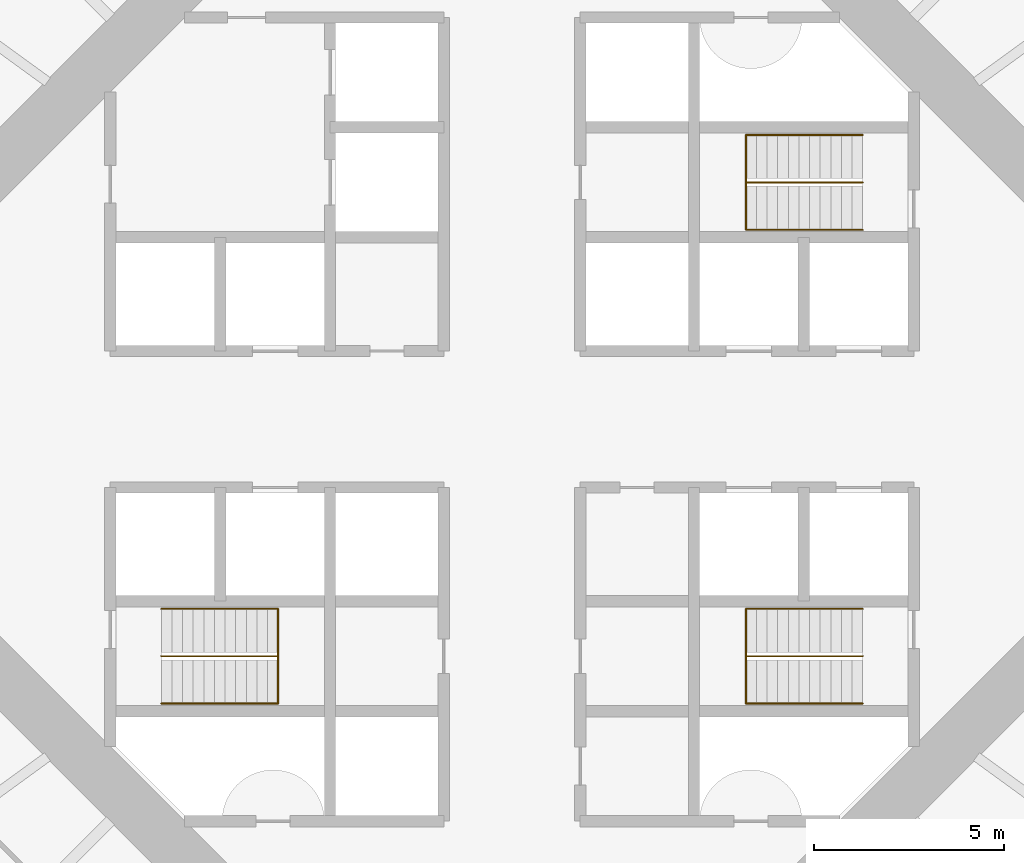
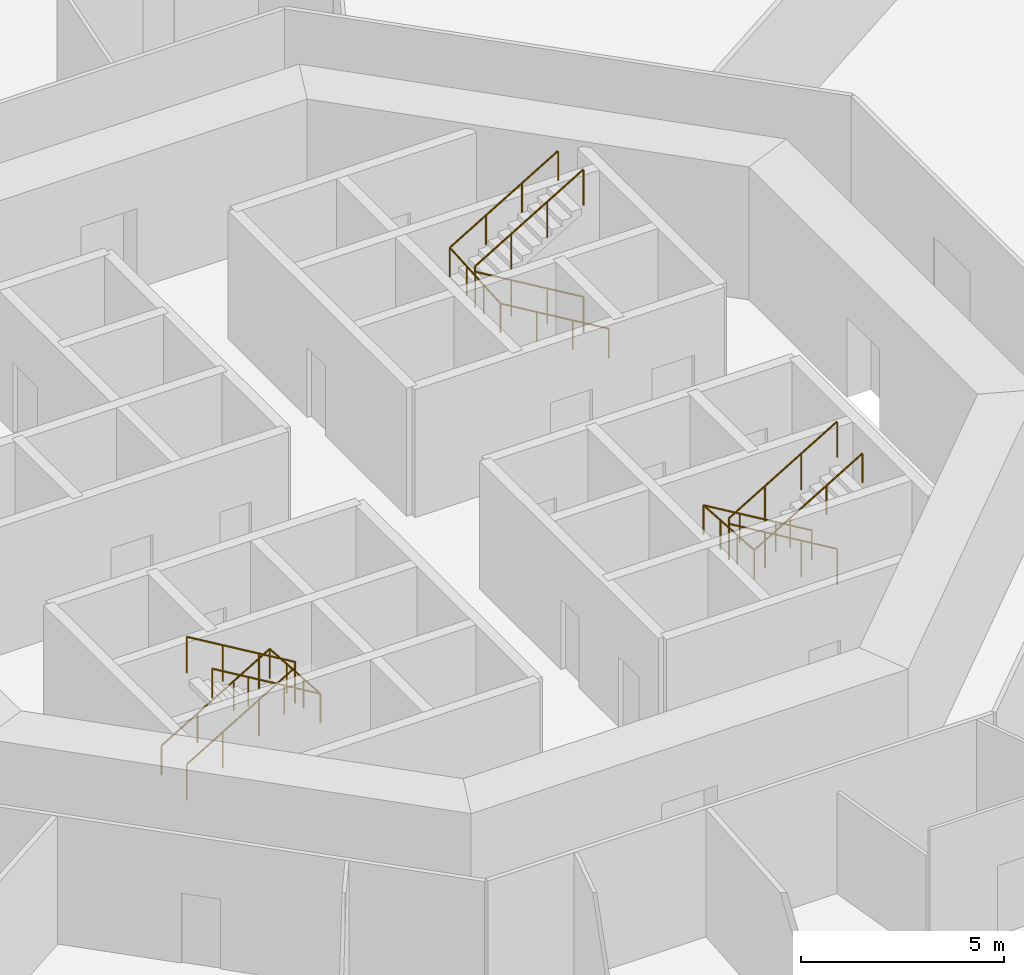
# One storey, part 13 of 13: 6 railings.
"""IFC4 building model written with IfcOpenShell, lengths in metres."""

import ifcopenshell
import ifcopenshell.guid

model = None  # the IFC model being written
_history = None  # IfcOwnerHistory: only IFC2X3 demands one
_inside = {}  # id of a spatial element -> (the spatial element, [elements in it])
_under = {}  # id of a project, library or spatial element -> (it, [spatial elements below it])
_declared = {}  # id of a project -> (the project, [libraries it declares])
_typed = {}  # id of a type object -> (the type object, [elements of that type])
_made_of = {}  # id of a material, layer set ... -> (it, [elements and type objects made of it])


def new_model(schema):
    """Start an empty IFC model of exactly this schema.

    Asked for "IFC4X3", IfcOpenShell would pick the latest addendum, in which some entities
    have other attributes; the version numbers below select the first issue.
    IFC2X3 requires an IfcOwnerHistory on every rooted entity: one is made here for all.
    """
    global model, _history
    if schema == "IFC4X3":
        model = ifcopenshell.file(schema_version=(4, 3, 0, 0))
    else:
        model = ifcopenshell.file(schema=schema)
    _inside.clear()
    _under.clear()
    _declared.clear()
    _typed.clear()
    _made_of.clear()
    _history = None
    if model.schema == "IFC2X3":
        org = make("IfcOrganization", Name="unknown")
        user = make(
            "IfcPersonAndOrganization",
            ThePerson=make("IfcPerson", FamilyName="unknown"),
            TheOrganization=org,
        )
        app = make(
            "IfcApplication",
            ApplicationDeveloper=org,
            Version="unknown",
            ApplicationFullName="unknown",
            ApplicationIdentifier="unknown",
        )
        _history = make(
            "IfcOwnerHistory",
            OwningUser=user,
            OwningApplication=app,
            ChangeAction="ADDED",
            CreationDate=0,
        )
    return model


def make(cls, **values):
    """One entity of the class cls with the attributes given. An attribute that is None is left unset."""
    return model.create_entity(
        cls, **{name: value for name, value in values.items() if value is not None}
    )


def rooted(cls, **values):
    """An entity with a GlobalId (a new one), such as an element, a storey or a relation."""
    return make(cls, GlobalId=ifcopenshell.guid.new(), OwnerHistory=_history, **values)


def si_unit(unit_type, name, prefix=None):
    """IfcSIUnit, for example si_unit("LENGTHUNIT", "METRE", prefix="MILLI")."""
    return make("IfcSIUnit", UnitType=unit_type, Prefix=prefix, Name=name)


def assignment(units):
    """IfcUnitAssignment: the units of a project."""
    return None if units is None else make("IfcUnitAssignment", Units=units)


def point(xyz):
    """IfcCartesianPoint."""
    return None if xyz is None else make("IfcCartesianPoint", Coordinates=xyz)


def direction(xyz):
    """IfcDirection."""
    return None if xyz is None else make("IfcDirection", DirectionRatios=xyz)


def frame(location, z_axis=None, x_axis=None):
    """IfcAxis2Placement3D, a coordinate frame: its origin and axes. An axis left out is left unset."""
    return make(
        "IfcAxis2Placement3D",
        Location=point(location),
        Axis=direction(z_axis),
        RefDirection=direction(x_axis),
    )


def frame_2d(location, x_axis=None):
    """IfcAxis2Placement2D, a coordinate frame in the plane: its origin and x axis."""
    return make(
        "IfcAxis2Placement2D", Location=point(location), RefDirection=direction(x_axis)
    )


def origin():
    """The frame at (0, 0, 0) with its axes left unset."""
    return frame((0.0, 0.0, 0.0))


def origin_2d():
    """The frame at (0, 0) in the plane with its x axis left unset."""
    return frame_2d((0.0, 0.0))


def place(relative_to, where):
    """IfcLocalPlacement: puts the frame where relative to a parent placement (None: the world)."""
    return make(
        "IfcLocalPlacement", PlacementRelTo=relative_to, RelativePlacement=where
    )


def context(
    kind, dimensions, precision=None, world=None, true_north=None, identifier=None
):
    """IfcGeometricRepresentationContext, for example the 3D "Model" context."""
    return make(
        "IfcGeometricRepresentationContext",
        ContextIdentifier=identifier,
        ContextType=kind,
        CoordinateSpaceDimension=dimensions,
        Precision=precision,
        WorldCoordinateSystem=world,
        TrueNorth=true_north,
    )


def subcontext(parent, identifier, kind, view, scale=None):
    """IfcGeometricRepresentationSubContext, for example "Body" below "Model"."""
    return make(
        "IfcGeometricRepresentationSubContext",
        ContextIdentifier=identifier,
        ContextType=kind,
        ParentContext=parent,
        TargetScale=scale,
        TargetView=view,
    )


def project(units=None, contexts=None):
    """IfcProject with its units and contexts."""
    return rooted(
        "IfcProject",
        Name="project",
        RepresentationContexts=contexts,
        UnitsInContext=assignment(units),
    )


def spatial(cls, under=None, at=None, **own):
    """A site, building, storey or space (cls), placed at a placement, below another one or the project."""
    s = rooted(cls, ObjectPlacement=at, **own)
    if under is not None:
        _under.setdefault(under.id(), (under, []))[1].append(s)
    return s


def profile(cls, at=None, kind="AREA", **sizes):
    """A parametric profile (cls). Its sizes go by their IFC names, for example OverallWidth=200.0."""
    return make(cls, ProfileType=kind, Position=at, **sizes)


def circle(**sizes):
    """IfcCircleProfileDef."""
    return profile("IfcCircleProfileDef", **sizes)


def extrude(swept, where, along, depth):
    """IfcExtrudedAreaSolid: the profile swept, set in the frame where, extruded along a direction by depth."""
    return make(
        "IfcExtrudedAreaSolid",
        SweptArea=swept,
        Position=where,
        ExtrudedDirection=direction(along),
        Depth=depth,
    )


def shape(context_of_items, identifier, shape_type, items):
    """IfcShapeRepresentation: the items that make up one representation, for example the "Body"."""
    return make(
        "IfcShapeRepresentation",
        ContextOfItems=context_of_items,
        RepresentationIdentifier=identifier,
        RepresentationType=shape_type,
        Items=items,
    )


def material(Name=None, Category=None):
    """IfcMaterial."""
    return make("IfcMaterial", Name=Name, Category=Category)


def made_of(thing, what):
    """Note that an element or type object is made of a material, layer set ...; save() writes the relation."""
    if what is not None:
        _made_of.setdefault(what.id(), (what, []))[1].append(thing)
    return thing


def type_object(cls, material=None, **own):
    """A type object (cls), such as IfcWallType, which elements share."""
    return made_of(rooted(cls, **own), material)


def element(
    cls,
    number,
    at=None,
    inside=None,
    cuts=None,
    type_object=None,
    material=None,
    context=None,
    identifier="Body",
    shape_type=None,
    held_by="IfcProductDefinitionShape",
    body=None,
    shapes=None,
    **own,
):
    """One element of the class cls, such as IfcWall. Its Tag is "e" and its number.

    at: its placement. inside: the storey or other place that contains it. cuts: it is an
    opening in that element (IfcRelVoidsElement). A single representation is given by context,
    identifier, shape_type and body (its items); several are given by shapes. held_by: the class
    of the entity that holds the representations. save() writes the other relations.
    """
    e = rooted(cls, Tag="e%d" % number, ObjectPlacement=at, **own)
    if body is not None:
        shapes = [shape(context, identifier, shape_type, body)]
    if shapes is not None:
        e.Representation = make(held_by, Representations=shapes)
    if inside is not None:
        _inside.setdefault(inside.id(), (inside, []))[1].append(e)
    if cuts is not None:
        rooted(
            "IfcRelVoidsElement", RelatingBuildingElement=cuts, RelatedOpeningElement=e
        )
    if type_object is not None:
        _typed.setdefault(type_object.id(), (type_object, []))[1].append(e)
    return made_of(e, material)


def aggregate(whole, parts):
    """IfcRelAggregates: a whole, such as a stair, and the parts it consists of."""
    return rooted("IfcRelAggregates", RelatingObject=whole, RelatedObjects=parts)


def save(model, path):
    """Write the relations noted so far, then the file.

    IfcRelAggregates (storeys below a building ...), IfcRelContainedInSpatialStructure (elements
    in a storey), IfcRelDefinesByType, IfcRelAssociatesMaterial and IfcRelDeclares: one each for
    every whole, place, type object, material and project.
    """
    for whole, parts in _under.values():
        aggregate(whole, parts)
    for where, things in _inside.values():
        rooted(
            "IfcRelContainedInSpatialStructure",
            RelatedElements=things,
            RelatingStructure=where,
        )
    for kind, things in _typed.values():
        rooted("IfcRelDefinesByType", RelatedObjects=things, RelatingType=kind)
    for what, things in _made_of.values():
        rooted("IfcRelAssociatesMaterial", RelatedObjects=things, RelatingMaterial=what)
    for by, libraries in _declared.values():
        rooted("IfcRelDeclares", RelatingContext=by, RelatedDefinitions=libraries)
    model.write(path)


model = new_model("IFC4")

# Units and contexts
model_context = context("Model", 3, precision=1e-05, world=origin(), true_north=direction((0.0, 1.0)))
body_context = subcontext(model_context, "Body", "Model", "MODEL_VIEW")
ifc_project = project(units=[si_unit("LENGTHUNIT", "METRE"), si_unit("AREAUNIT", "SQUARE_METRE"), si_unit("VOLUMEUNIT", "CUBIC_METRE"), si_unit("PLANEANGLEUNIT", "RADIAN"), si_unit("MASSUNIT", "GRAM", prefix="KILO")], contexts=[model_context])

# Site, building, storey
site_placement = place(None, origin())
site = spatial("IfcSite", under=ifc_project, at=site_placement, CompositionType="ELEMENT")
building_placement = place(site_placement, origin())
building = spatial("IfcBuilding", under=site, at=building_placement, Name="Entoto Ring Tower", CompositionType="ELEMENT")
storey_placement = place(building_placement, frame((0.0, 0.0, 34.0)))
storey = spatial("IfcBuildingStorey", under=building, at=storey_placement, Name="L06", CompositionType="ELEMENT", Elevation=34.0)

# Railings
ifc_material_1 = material(Name="Steel S275", Category="steel")
railing_type_1 = type_object("IfcRailingType", Name="Stair guard 1100 mm steel", PredefinedType="GUARDRAIL", material=ifc_material_1)
railing_1_placement = place(storey_placement, frame((99.25, 86.25, 0.166748046875)))
element("IfcRailing", 1, at=railing_1_placement, inside=storey, type_object=railing_type_1, Name="Guard ST1", PredefinedType="GUARDRAIL", context=body_context, shape_type="SweptSolid", body=[
    extrude(circle(Radius=0.02392578125, at=origin_2d()), frame((0.0, 0.0, 1.076171875), z_axis=(-0.859308565015, 0.0, 0.511457515432), x_axis=(0.0, -1.0, 0.0)), (0.0, 0.0, 1.0), 3.58447265625),
    extrude(circle(Radius=0.02392578125, at=origin_2d()), frame((-3.080078125, 0.0, 2.9091796875), z_axis=(0.0, 0.0, 1.0), x_axis=(1.0, 0.0, 0.0)), (0.0, 0.0, 1.0), 0.166748046875),
    extrude(circle(Radius=0.02392578125, at=origin_2d()), frame((-3.080078125, 0.0, 3.076171875), z_axis=(0.859308565015, 0.0, 0.511457515432), x_axis=(0.0, 1.0, 0.0)), (0.0, 0.0, 1.0), 3.58447265625),
    extrude(circle(Radius=0.02099609375, at=origin_2d()), origin(), (0.0, 0.0, 1.0), 1.052001953125),
    extrude(circle(Radius=0.02099609375, at=origin_2d()), frame((-1.026611328125, 0.0, 0.611083984375)), (0.0, 0.0, 1.0), 1.052001953125),
    extrude(circle(Radius=0.02099609375, at=origin_2d()), frame((-2.053466796875, 0.0, 1.22216796875)), (0.0, 0.0, 1.0), 1.052001953125),
    extrude(circle(Radius=0.02099609375, at=origin_2d()), frame((-3.080078125, 0.0, 1.833251953125)), (0.0, 0.0, 1.0), 1.052001953125),
    extrude(circle(Radius=0.02099609375, at=origin_2d()), frame((-3.080078125, 0.0, 2.0)), (0.0, 0.0, 1.0), 1.052001953125),
    extrude(circle(Radius=0.02099609375, at=origin_2d()), frame((-2.053466796875, 0.0, 2.611083984375)), (0.0, 0.0, 1.0), 1.052001953125),
    extrude(circle(Radius=0.02099609375, at=origin_2d()), frame((-1.026611328125, 0.0, 3.22216796875)), (0.0, 0.0, 1.0), 1.052001953125),
    extrude(circle(Radius=0.02099609375, at=origin_2d()), frame((0.0, 0.0, 3.833251953125)), (0.0, 0.0, 1.0), 1.052001953125),
])
railing_2_placement = place(storey_placement, frame((80.75, 73.75, 0.166748046875)))
element("IfcRailing", 2, at=railing_2_placement, inside=storey, type_object=railing_type_1, Name="Guard ST2", PredefinedType="GUARDRAIL", context=body_context, shape_type="SweptSolid", body=[
    extrude(circle(Radius=0.02392578125, at=origin_2d()), frame((0.0, 0.0, 1.076171875), z_axis=(0.859308565015, 0.0, 0.511457515432), x_axis=(0.0, 1.0, 0.0)), (0.0, 0.0, 1.0), 3.58447265625),
    extrude(circle(Radius=0.02392578125, at=origin_2d()), frame((3.080078125, 0.0, 2.9091796875), z_axis=(0.0, 0.0, 1.0), x_axis=(1.0, 0.0, 0.0)), (0.0, 0.0, 1.0), 0.166748046875),
    extrude(circle(Radius=0.02392578125, at=origin_2d()), frame((3.080078125, 0.0, 3.076171875), z_axis=(-0.859308565015, 0.0, 0.511457515432), x_axis=(0.0, -1.0, 0.0)), (0.0, 0.0, 1.0), 3.58447265625),
    extrude(circle(Radius=0.02099609375, at=origin_2d()), origin(), (0.0, 0.0, 1.0), 1.052001953125),
    extrude(circle(Radius=0.02099609375, at=origin_2d()), frame((1.026611328125, 0.0, 0.611083984375)), (0.0, 0.0, 1.0), 1.052001953125),
    extrude(circle(Radius=0.02099609375, at=origin_2d()), frame((2.053466796875, 0.0, 1.22216796875)), (0.0, 0.0, 1.0), 1.052001953125),
    extrude(circle(Radius=0.02099609375, at=origin_2d()), frame((3.080078125, 0.0, 1.833251953125)), (0.0, 0.0, 1.0), 1.052001953125),
    extrude(circle(Radius=0.02099609375, at=origin_2d()), frame((3.080078125, 0.0, 2.0)), (0.0, 0.0, 1.0), 1.052001953125),
    extrude(circle(Radius=0.02099609375, at=origin_2d()), frame((2.053466796875, 0.0, 2.611083984375)), (0.0, 0.0, 1.0), 1.052001953125),
    extrude(circle(Radius=0.02099609375, at=origin_2d()), frame((1.026611328125, 0.0, 3.22216796875)), (0.0, 0.0, 1.0), 1.052001953125),
    extrude(circle(Radius=0.02099609375, at=origin_2d()), frame((0.0, 0.0, 3.833251953125)), (0.0, 0.0, 1.0), 1.052001953125),
])
railing_3_placement = place(storey_placement, frame((99.25, 73.75, 0.166748046875)))
element("IfcRailing", 3, at=railing_3_placement, inside=storey, type_object=railing_type_1, Name="Guard ST3", PredefinedType="GUARDRAIL", context=body_context, shape_type="SweptSolid", body=[
    extrude(circle(Radius=0.02392578125, at=origin_2d()), frame((0.0, 0.0, 1.076171875), z_axis=(-0.859308565015, 0.0, 0.511457515432), x_axis=(0.0, -1.0, 0.0)), (0.0, 0.0, 1.0), 3.58447265625),
    extrude(circle(Radius=0.02392578125, at=origin_2d()), frame((-3.080078125, 0.0, 2.9091796875), z_axis=(0.0, 0.0, 1.0), x_axis=(1.0, 0.0, 0.0)), (0.0, 0.0, 1.0), 0.166748046875),
    extrude(circle(Radius=0.02392578125, at=origin_2d()), frame((-3.080078125, 0.0, 3.076171875), z_axis=(0.859308565015, 0.0, 0.511457515432), x_axis=(0.0, 1.0, 0.0)), (0.0, 0.0, 1.0), 3.58447265625),
    extrude(circle(Radius=0.02099609375, at=origin_2d()), origin(), (0.0, 0.0, 1.0), 1.052001953125),
    extrude(circle(Radius=0.02099609375, at=origin_2d()), frame((-1.026611328125, 0.0, 0.611083984375)), (0.0, 0.0, 1.0), 1.052001953125),
    extrude(circle(Radius=0.02099609375, at=origin_2d()), frame((-2.053466796875, 0.0, 1.22216796875)), (0.0, 0.0, 1.0), 1.052001953125),
    extrude(circle(Radius=0.02099609375, at=origin_2d()), frame((-3.080078125, 0.0, 1.833251953125)), (0.0, 0.0, 1.0), 1.052001953125),
    extrude(circle(Radius=0.02099609375, at=origin_2d()), frame((-3.080078125, 0.0, 2.0)), (0.0, 0.0, 1.0), 1.052001953125),
    extrude(circle(Radius=0.02099609375, at=origin_2d()), frame((-2.053466796875, 0.0, 2.611083984375)), (0.0, 0.0, 1.0), 1.052001953125),
    extrude(circle(Radius=0.02099609375, at=origin_2d()), frame((-1.026611328125, 0.0, 3.22216796875)), (0.0, 0.0, 1.0), 1.052001953125),
    extrude(circle(Radius=0.02099609375, at=origin_2d()), frame((0.0, 0.0, 3.833251953125)), (0.0, 0.0, 1.0), 1.052001953125),
])
ifc_material_2 = material(Name="Steel S275", Category="steel")
railing_type_2 = type_object("IfcRailingType", Name="Stair handrail 900 mm steel", PredefinedType="HANDRAIL", material=ifc_material_2)
railing_4_placement = place(storey_placement, frame((99.25, 85.0, 0.166748046875)))
element("IfcRailing", 4, at=railing_4_placement, inside=storey, type_object=railing_type_2, Name="Handrail ST1", PredefinedType="HANDRAIL", context=body_context, shape_type="SweptSolid", body=[
    extrude(circle(Radius=0.02392578125, at=origin_2d()), frame((0.0, 0.0, 0.8759765625), z_axis=(-0.859308565015, 0.0, 0.511457515432), x_axis=(0.0, -1.0, 0.0)), (0.0, 0.0, 1.0), 3.58447265625),
    extrude(circle(Radius=0.02392578125, at=origin_2d()), frame((-3.080078125, 0.0, 2.708984375), z_axis=(0.0, 0.997783001586, 0.066551346688), x_axis=(-1.0, 0.0, 0.0)), (0.0, 0.0, 1.0), 2.505615234375),
    extrude(circle(Radius=0.02392578125, at=origin_2d()), frame((-3.080078125, 2.5, 2.8759765625), z_axis=(0.859308565015, 0.0, 0.511457515432), x_axis=(0.0, 1.0, 0.0)), (0.0, 0.0, 1.0), 3.58447265625),
    extrude(circle(Radius=0.02099609375, at=origin_2d()), origin(), (0.0, 0.0, 1.0), 0.851806640625),
    extrude(circle(Radius=0.02099609375, at=origin_2d()), frame((-1.026611328125, 0.0, 0.611083984375)), (0.0, 0.0, 1.0), 0.851806640625),
    extrude(circle(Radius=0.02099609375, at=origin_2d()), frame((-2.053466796875, 0.0, 1.22216796875)), (0.0, 0.0, 1.0), 0.851806640625),
    extrude(circle(Radius=0.02099609375, at=origin_2d()), frame((-3.080078125, 0.0, 1.833251953125)), (0.0, 0.0, 1.0), 0.851806640625),
    extrude(circle(Radius=0.02099609375, at=origin_2d()), frame((-3.080078125, 0.833251953125, 1.888916015625)), (0.0, 0.0, 1.0), 0.851806640625),
    extrude(circle(Radius=0.02099609375, at=origin_2d()), frame((-3.080078125, 1.666748046875, 1.9443359375)), (0.0, 0.0, 1.0), 0.851806640625),
    extrude(circle(Radius=0.02099609375, at=origin_2d()), frame((-3.080078125, 2.5, 2.0)), (0.0, 0.0, 1.0), 0.851806640625),
    extrude(circle(Radius=0.02099609375, at=origin_2d()), frame((-2.053466796875, 2.5, 2.611083984375)), (0.0, 0.0, 1.0), 0.851806640625),
    extrude(circle(Radius=0.02099609375, at=origin_2d()), frame((-1.026611328125, 2.5, 3.22216796875)), (0.0, 0.0, 1.0), 0.851806640625),
    extrude(circle(Radius=0.02099609375, at=origin_2d()), frame((0.0, 2.5, 3.833251953125)), (0.0, 0.0, 1.0), 0.851806640625),
])
railing_5_placement = place(storey_placement, frame((80.75, 75.0, 0.166748046875)))
element("IfcRailing", 5, at=railing_5_placement, inside=storey, type_object=railing_type_2, Name="Handrail ST2", PredefinedType="HANDRAIL", context=body_context, shape_type="SweptSolid", body=[
    extrude(circle(Radius=0.02392578125, at=origin_2d()), frame((0.0, 0.0, 0.8759765625), z_axis=(0.859308565015, 0.0, 0.511457515432), x_axis=(0.0, 1.0, 0.0)), (0.0, 0.0, 1.0), 3.58447265625),
    extrude(circle(Radius=0.02392578125, at=origin_2d()), frame((3.080078125, 0.0, 2.708984375), z_axis=(0.0, -0.997783001586, 0.066551346688), x_axis=(1.0, 0.0, 0.0)), (0.0, 0.0, 1.0), 2.505615234375),
    extrude(circle(Radius=0.02392578125, at=origin_2d()), frame((3.080078125, -2.5, 2.8759765625), z_axis=(-0.859308565015, 0.0, 0.511457515432), x_axis=(0.0, -1.0, 0.0)), (0.0, 0.0, 1.0), 3.58447265625),
    extrude(circle(Radius=0.02099609375, at=origin_2d()), origin(), (0.0, 0.0, 1.0), 0.851806640625),
    extrude(circle(Radius=0.02099609375, at=origin_2d()), frame((1.026611328125, 0.0, 0.611083984375)), (0.0, 0.0, 1.0), 0.851806640625),
    extrude(circle(Radius=0.02099609375, at=origin_2d()), frame((2.053466796875, 0.0, 1.22216796875)), (0.0, 0.0, 1.0), 0.851806640625),
    extrude(circle(Radius=0.02099609375, at=origin_2d()), frame((3.080078125, 0.0, 1.833251953125)), (0.0, 0.0, 1.0), 0.851806640625),
    extrude(circle(Radius=0.02099609375, at=origin_2d()), frame((3.080078125, -0.833251953125, 1.888916015625)), (0.0, 0.0, 1.0), 0.851806640625),
    extrude(circle(Radius=0.02099609375, at=origin_2d()), frame((3.080078125, -1.666748046875, 1.9443359375)), (0.0, 0.0, 1.0), 0.851806640625),
    extrude(circle(Radius=0.02099609375, at=origin_2d()), frame((3.080078125, -2.5, 2.0)), (0.0, 0.0, 1.0), 0.851806640625),
    extrude(circle(Radius=0.02099609375, at=origin_2d()), frame((2.053466796875, -2.5, 2.611083984375)), (0.0, 0.0, 1.0), 0.851806640625),
    extrude(circle(Radius=0.02099609375, at=origin_2d()), frame((1.026611328125, -2.5, 3.22216796875)), (0.0, 0.0, 1.0), 0.851806640625),
    extrude(circle(Radius=0.02099609375, at=origin_2d()), frame((0.0, -2.5, 3.833251953125)), (0.0, 0.0, 1.0), 0.851806640625),
])
railing_6_placement = place(storey_placement, frame((99.25, 75.0, 0.166748046875)))
element("IfcRailing", 6, at=railing_6_placement, inside=storey, type_object=railing_type_2, Name="Handrail ST3", PredefinedType="HANDRAIL", context=body_context, shape_type="SweptSolid", body=[
    extrude(circle(Radius=0.02392578125, at=origin_2d()), frame((0.0, 0.0, 0.8759765625), z_axis=(-0.859308565015, 0.0, 0.511457515432), x_axis=(0.0, -1.0, 0.0)), (0.0, 0.0, 1.0), 3.58447265625),
    extrude(circle(Radius=0.02392578125, at=origin_2d()), frame((-3.080078125, 0.0, 2.708984375), z_axis=(0.0, -0.997783001586, 0.066551346688), x_axis=(1.0, 0.0, 0.0)), (0.0, 0.0, 1.0), 2.505615234375),
    extrude(circle(Radius=0.02392578125, at=origin_2d()), frame((-3.080078125, -2.5, 2.8759765625), z_axis=(0.859308565015, 0.0, 0.511457515432), x_axis=(0.0, 1.0, 0.0)), (0.0, 0.0, 1.0), 3.58447265625),
    extrude(circle(Radius=0.02099609375, at=origin_2d()), origin(), (0.0, 0.0, 1.0), 0.851806640625),
    extrude(circle(Radius=0.02099609375, at=origin_2d()), frame((-1.026611328125, 0.0, 0.611083984375)), (0.0, 0.0, 1.0), 0.851806640625),
    extrude(circle(Radius=0.02099609375, at=origin_2d()), frame((-2.053466796875, 0.0, 1.22216796875)), (0.0, 0.0, 1.0), 0.851806640625),
    extrude(circle(Radius=0.02099609375, at=origin_2d()), frame((-3.080078125, 0.0, 1.833251953125)), (0.0, 0.0, 1.0), 0.851806640625),
    extrude(circle(Radius=0.02099609375, at=origin_2d()), frame((-3.080078125, -0.833251953125, 1.888916015625)), (0.0, 0.0, 1.0), 0.851806640625),
    extrude(circle(Radius=0.02099609375, at=origin_2d()), frame((-3.080078125, -1.666748046875, 1.9443359375)), (0.0, 0.0, 1.0), 0.851806640625),
    extrude(circle(Radius=0.02099609375, at=origin_2d()), frame((-3.080078125, -2.5, 2.0)), (0.0, 0.0, 1.0), 0.851806640625),
    extrude(circle(Radius=0.02099609375, at=origin_2d()), frame((-2.053466796875, -2.5, 2.611083984375)), (0.0, 0.0, 1.0), 0.851806640625),
    extrude(circle(Radius=0.02099609375, at=origin_2d()), frame((-1.026611328125, -2.5, 3.22216796875)), (0.0, 0.0, 1.0), 0.851806640625),
    extrude(circle(Radius=0.02099609375, at=origin_2d()), frame((0.0, -2.5, 3.833251953125)), (0.0, 0.0, 1.0), 0.851806640625),
])

save(model, "model.ifc")
